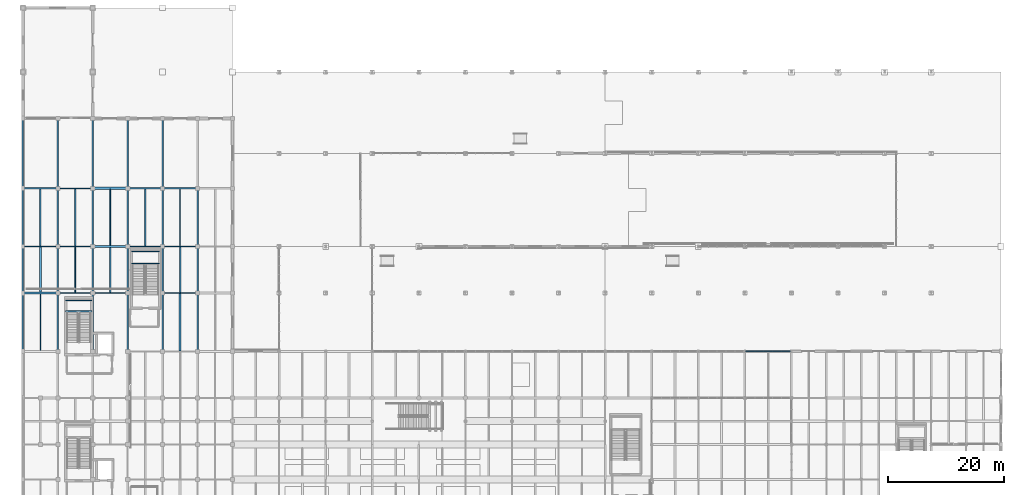
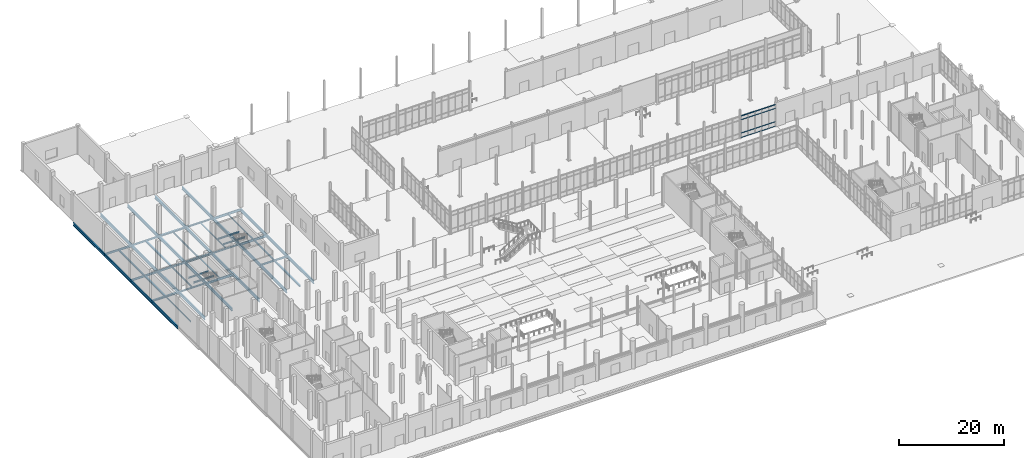
# One storey, part 54 of 140: 52 beams, 4 members, 1 element without a shape of its own.
"""IFC4 building model written with IfcOpenShell, lengths in metres."""

from ifc_helpers import new_model, si_unit, direction, frame, origin, origin_2d, place, context, subcontext, project, spatial, hollow_rectangle, i_section, extrude, material, material_profile, profile_set, type_object, element, aggregate, save


model = new_model("IFC4")

# Units and contexts
model_context = context("Model", 3, precision=1e-05, world=origin(), true_north=direction((0.0, 1.0)))
body_context = subcontext(model_context, "Body", "Model", "MODEL_VIEW")
ifc_project = project(units=[si_unit("LENGTHUNIT", "METRE"), si_unit("AREAUNIT", "SQUARE_METRE"), si_unit("VOLUMEUNIT", "CUBIC_METRE"), si_unit("PLANEANGLEUNIT", "RADIAN"), si_unit("MASSUNIT", "GRAM", prefix="KILO")], contexts=[model_context])

# Site, building, storey
site_placement = place(None, origin())
site = spatial("IfcSite", under=ifc_project, at=site_placement, CompositionType="ELEMENT")
building_placement = place(site_placement, origin())
building = spatial("IfcBuilding", under=site, at=building_placement, Name="Verrall Gate Interchange", CompositionType="ELEMENT")
storey_placement = place(building_placement, origin())
storey = spatial("IfcBuildingStorey", under=building, at=storey_placement, Name="L01", CompositionType="ELEMENT", Elevation=0.0)

# Beams
ifc_material_1 = material(Name="Structural Steel CSA G40.21 350WT Cat 4", Category="steel")
ifc_material_profile_1 = material_profile(ifc_material_1, i_section(OverallWidth=0.256103515625, OverallDepth=0.693115234375, WebThickness=0.01318359375, FlangeThickness=0.02001953125, FilletRadius=0.01611328125, at=origin_2d()), Name="W690x170")
ifc_profile_set_1 = profile_set([ifc_material_profile_1], Name="Structural Steel CSA G40.21 350WT Cat 4")
beam_type_1 = type_object("IfcBeamType", Name="B-07 Structural Beam W690x170", PredefinedType="BEAM", material=ifc_profile_set_1)
beam_1_placement = place(storey_placement, frame((0.0, 56.0, -0.846435546875), z_axis=(0.0, 1.0, 0.0), x_axis=(-1.0, 0.0, 0.0)))
element("IfcBeam", 1, at=beam_1_placement, inside=storey, type_object=beam_type_1, Name="L01 Girder BM-L01-0991 (B-07)", PredefinedType="BEAM", context=body_context, shape_type="SweptSolid", body=[
    extrude(i_section(OverallWidth=0.256103515625, OverallDepth=0.693115234375, WebThickness=0.01318359375, FlangeThickness=0.02001953125, FilletRadius=0.01611328125, at=origin_2d()), origin(), (0.0, 0.0, 1.0), 10.0),
])
beam_2_placement = place(storey_placement, frame((0.0, 66.0, -0.846435546875), z_axis=(0.0, 1.0, 0.0), x_axis=(-1.0, 0.0, 0.0)))
element("IfcBeam", 2, at=beam_2_placement, inside=storey, type_object=beam_type_1, Name="L01 Girder BM-L01-0992 (B-07)", PredefinedType="BEAM", context=body_context, shape_type="SweptSolid", body=[
    extrude(i_section(OverallWidth=0.256103515625, OverallDepth=0.693115234375, WebThickness=0.01318359375, FlangeThickness=0.02001953125, FilletRadius=0.01611328125, at=origin_2d()), origin(), (0.0, 0.0, 1.0), 8.0),
])
beam_3_placement = place(storey_placement, frame((0.0, 74.0, -0.846435546875), z_axis=(0.0, 1.0, 0.0), x_axis=(-1.0, 0.0, 0.0)))
element("IfcBeam", 3, at=beam_3_placement, inside=storey, type_object=beam_type_1, Name="L01 Girder BM-L01-0993 (B-07)", PredefinedType="BEAM", context=body_context, shape_type="SweptSolid", body=[
    extrude(i_section(OverallWidth=0.256103515625, OverallDepth=0.693115234375, WebThickness=0.01318359375, FlangeThickness=0.02001953125, FilletRadius=0.01611328125, at=origin_2d()), origin(), (0.0, 0.0, 1.0), 10.0),
])
beam_4_placement = place(storey_placement, frame((0.0, 84.0, -0.846435546875), z_axis=(0.0, 1.0, 0.0), x_axis=(-1.0, 0.0, 0.0)))
element("IfcBeam", 4, at=beam_4_placement, inside=storey, type_object=beam_type_1, Name="L01 Girder BM-L01-0994 (B-07)", PredefinedType="BEAM", context=body_context, shape_type="SweptSolid", body=[
    extrude(i_section(OverallWidth=0.256103515625, OverallDepth=0.693115234375, WebThickness=0.01318359375, FlangeThickness=0.02001953125, FilletRadius=0.01611328125, at=origin_2d()), origin(), (0.0, 0.0, 1.0), 12.0),
])
beam_5_placement = place(storey_placement, frame((6.0, 56.0, -0.846435546875), z_axis=(0.0, 1.0, 0.0), x_axis=(-1.0, 0.0, 0.0)))
element("IfcBeam", 5, at=beam_5_placement, inside=storey, type_object=beam_type_1, Name="L01 Girder BM-L01-1007 (B-07)", PredefinedType="BEAM", context=body_context, shape_type="SweptSolid", body=[
    extrude(i_section(OverallWidth=0.256103515625, OverallDepth=0.693115234375, WebThickness=0.01318359375, FlangeThickness=0.02001953125, FilletRadius=0.01611328125, at=origin_2d()), origin(), (0.0, 0.0, 1.0), 10.0),
])
beam_6_placement = place(storey_placement, frame((6.0, 66.0, -0.846435546875), z_axis=(0.0, 1.0, 0.0), x_axis=(-1.0, 0.0, 0.0)))
element("IfcBeam", 6, at=beam_6_placement, inside=storey, type_object=beam_type_1, Name="L01 Girder BM-L01-1008 (B-07)", PredefinedType="BEAM", context=body_context, shape_type="SweptSolid", body=[
    extrude(i_section(OverallWidth=0.256103515625, OverallDepth=0.693115234375, WebThickness=0.01318359375, FlangeThickness=0.02001953125, FilletRadius=0.01611328125, at=origin_2d()), origin(), (0.0, 0.0, 1.0), 8.0),
])
beam_7_placement = place(storey_placement, frame((6.0, 74.0, -0.846435546875), z_axis=(0.0, 1.0, 0.0), x_axis=(-1.0, 0.0, 0.0)))
element("IfcBeam", 7, at=beam_7_placement, inside=storey, type_object=beam_type_1, Name="L01 Girder BM-L01-1009 (B-07)", PredefinedType="BEAM", context=body_context, shape_type="SweptSolid", body=[
    extrude(i_section(OverallWidth=0.256103515625, OverallDepth=0.693115234375, WebThickness=0.01318359375, FlangeThickness=0.02001953125, FilletRadius=0.01611328125, at=origin_2d()), origin(), (0.0, 0.0, 1.0), 10.0),
])
beam_8_placement = place(storey_placement, frame((6.0, 84.0, -0.846435546875), z_axis=(0.0, 1.0, 0.0), x_axis=(-1.0, 0.0, 0.0)))
element("IfcBeam", 8, at=beam_8_placement, inside=storey, type_object=beam_type_1, Name="L01 Girder BM-L01-1010 (B-07)", PredefinedType="BEAM", context=body_context, shape_type="SweptSolid", body=[
    extrude(i_section(OverallWidth=0.256103515625, OverallDepth=0.693115234375, WebThickness=0.01318359375, FlangeThickness=0.02001953125, FilletRadius=0.01611328125, at=origin_2d()), origin(), (0.0, 0.0, 1.0), 12.0),
])
beam_9_placement = place(storey_placement, frame((12.0, 56.0, -0.846435546875), z_axis=(0.0, 1.0, 0.0), x_axis=(-1.0, 0.0, 0.0)))
element("IfcBeam", 9, at=beam_9_placement, inside=storey, type_object=beam_type_1, Name="L01 Girder BM-L01-1022 (B-07)", PredefinedType="BEAM", context=body_context, shape_type="SweptSolid", body=[
    extrude(i_section(OverallWidth=0.256103515625, OverallDepth=0.693115234375, WebThickness=0.01318359375, FlangeThickness=0.02001953125, FilletRadius=0.01611328125, at=origin_2d()), origin(), (0.0, 0.0, 1.0), 10.0),
])
beam_10_placement = place(storey_placement, frame((12.0, 66.0, -0.846435546875), z_axis=(0.0, 1.0, 0.0), x_axis=(-1.0, 0.0, 0.0)))
element("IfcBeam", 10, at=beam_10_placement, inside=storey, type_object=beam_type_1, Name="L01 Girder BM-L01-1023 (B-07)", PredefinedType="BEAM", context=body_context, shape_type="SweptSolid", body=[
    extrude(i_section(OverallWidth=0.256103515625, OverallDepth=0.693115234375, WebThickness=0.01318359375, FlangeThickness=0.02001953125, FilletRadius=0.01611328125, at=origin_2d()), origin(), (0.0, 0.0, 1.0), 8.0),
])
beam_11_placement = place(storey_placement, frame((12.0, 74.0, -0.846435546875), z_axis=(0.0, 1.0, 0.0), x_axis=(-1.0, 0.0, 0.0)))
element("IfcBeam", 11, at=beam_11_placement, inside=storey, type_object=beam_type_1, Name="L01 Girder BM-L01-1024 (B-07)", PredefinedType="BEAM", context=body_context, shape_type="SweptSolid", body=[
    extrude(i_section(OverallWidth=0.256103515625, OverallDepth=0.693115234375, WebThickness=0.01318359375, FlangeThickness=0.02001953125, FilletRadius=0.01611328125, at=origin_2d()), origin(), (0.0, 0.0, 1.0), 10.0),
])
beam_12_placement = place(storey_placement, frame((12.0, 84.0, -0.846435546875), z_axis=(0.0, 1.0, 0.0), x_axis=(-1.0, 0.0, 0.0)))
element("IfcBeam", 12, at=beam_12_placement, inside=storey, type_object=beam_type_1, Name="L01 Girder BM-L01-1025 (B-07)", PredefinedType="BEAM", context=body_context, shape_type="SweptSolid", body=[
    extrude(i_section(OverallWidth=0.256103515625, OverallDepth=0.693115234375, WebThickness=0.01318359375, FlangeThickness=0.02001953125, FilletRadius=0.01611328125, at=origin_2d()), origin(), (0.0, 0.0, 1.0), 12.0),
])
beam_13_placement = place(storey_placement, frame((18.0, 56.0, -0.846435546875), z_axis=(0.0, 1.0, 0.0), x_axis=(-1.0, 0.0, 0.0)))
element("IfcBeam", 13, at=beam_13_placement, inside=storey, type_object=beam_type_1, Name="L01 Girder BM-L01-1037 (B-07)", PredefinedType="BEAM", context=body_context, shape_type="SweptSolid", body=[
    extrude(i_section(OverallWidth=0.256103515625, OverallDepth=0.693115234375, WebThickness=0.01318359375, FlangeThickness=0.02001953125, FilletRadius=0.01611328125, at=origin_2d()), origin(), (0.0, 0.0, 1.0), 10.0),
])
beam_14_placement = place(storey_placement, frame((18.0, 66.0, -0.846435546875), z_axis=(0.0, 1.0, 0.0), x_axis=(-1.0, 0.0, 0.0)))
element("IfcBeam", 14, at=beam_14_placement, inside=storey, type_object=beam_type_1, Name="L01 Girder BM-L01-1038 (B-07)", PredefinedType="BEAM", context=body_context, shape_type="SweptSolid", body=[
    extrude(i_section(OverallWidth=0.256103515625, OverallDepth=0.693115234375, WebThickness=0.01318359375, FlangeThickness=0.02001953125, FilletRadius=0.01611328125, at=origin_2d()), origin(), (0.0, 0.0, 1.0), 8.0),
])
beam_15_placement = place(storey_placement, frame((18.0, 74.0, -0.846435546875), z_axis=(0.0, 1.0, 0.0), x_axis=(-1.0, 0.0, 0.0)))
element("IfcBeam", 15, at=beam_15_placement, inside=storey, type_object=beam_type_1, Name="L01 Girder BM-L01-1039 (B-07)", PredefinedType="BEAM", context=body_context, shape_type="SweptSolid", body=[
    extrude(i_section(OverallWidth=0.256103515625, OverallDepth=0.693115234375, WebThickness=0.01318359375, FlangeThickness=0.02001953125, FilletRadius=0.01611328125, at=origin_2d()), origin(), (0.0, 0.0, 1.0), 10.0),
])
beam_16_placement = place(storey_placement, frame((18.0, 84.0, -0.846435546875), z_axis=(0.0, 1.0, 0.0), x_axis=(-1.0, 0.0, 0.0)))
element("IfcBeam", 16, at=beam_16_placement, inside=storey, type_object=beam_type_1, Name="L01 Girder BM-L01-1040 (B-07)", PredefinedType="BEAM", context=body_context, shape_type="SweptSolid", body=[
    extrude(i_section(OverallWidth=0.256103515625, OverallDepth=0.693115234375, WebThickness=0.01318359375, FlangeThickness=0.02001953125, FilletRadius=0.01611328125, at=origin_2d()), origin(), (0.0, 0.0, 1.0), 12.0),
])
beam_17_placement = place(storey_placement, frame((24.0, 56.0, -0.846435546875), z_axis=(0.0, 1.0, 0.0), x_axis=(-1.0, 0.0, 0.0)))
element("IfcBeam", 17, at=beam_17_placement, inside=storey, type_object=beam_type_1, Name="L01 Girder BM-L01-1052 (B-07)", PredefinedType="BEAM", context=body_context, shape_type="SweptSolid", body=[
    extrude(i_section(OverallWidth=0.256103515625, OverallDepth=0.693115234375, WebThickness=0.01318359375, FlangeThickness=0.02001953125, FilletRadius=0.01611328125, at=origin_2d()), origin(), (0.0, 0.0, 1.0), 10.0),
])
beam_18_placement = place(storey_placement, frame((24.0, 66.0, -0.846435546875), z_axis=(0.0, 1.0, 0.0), x_axis=(-1.0, 0.0, 0.0)))
element("IfcBeam", 18, at=beam_18_placement, inside=storey, type_object=beam_type_1, Name="L01 Girder BM-L01-1053 (B-07)", PredefinedType="BEAM", context=body_context, shape_type="SweptSolid", body=[
    extrude(i_section(OverallWidth=0.256103515625, OverallDepth=0.693115234375, WebThickness=0.01318359375, FlangeThickness=0.02001953125, FilletRadius=0.01611328125, at=origin_2d()), origin(), (0.0, 0.0, 1.0), 8.0),
])
beam_19_placement = place(storey_placement, frame((24.0, 74.0, -0.846435546875), z_axis=(0.0, 1.0, 0.0), x_axis=(-1.0, 0.0, 0.0)))
element("IfcBeam", 19, at=beam_19_placement, inside=storey, type_object=beam_type_1, Name="L01 Girder BM-L01-1054 (B-07)", PredefinedType="BEAM", context=body_context, shape_type="SweptSolid", body=[
    extrude(i_section(OverallWidth=0.256103515625, OverallDepth=0.693115234375, WebThickness=0.01318359375, FlangeThickness=0.02001953125, FilletRadius=0.01611328125, at=origin_2d()), origin(), (0.0, 0.0, 1.0), 10.0),
])
beam_20_placement = place(storey_placement, frame((24.0, 84.0, -0.846435546875), z_axis=(0.0, 1.0, 0.0), x_axis=(-1.0, 0.0, 0.0)))
element("IfcBeam", 20, at=beam_20_placement, inside=storey, type_object=beam_type_1, Name="L01 Girder BM-L01-1055 (B-07)", PredefinedType="BEAM", context=body_context, shape_type="SweptSolid", body=[
    extrude(i_section(OverallWidth=0.256103515625, OverallDepth=0.693115234375, WebThickness=0.01318359375, FlangeThickness=0.02001953125, FilletRadius=0.01611328125, at=origin_2d()), origin(), (0.0, 0.0, 1.0), 12.0),
])
beam_21_placement = place(storey_placement, frame((30.0, 56.0, -0.846435546875), z_axis=(0.0, 1.0, 0.0), x_axis=(-1.0, 0.0, 0.0)))
element("IfcBeam", 21, at=beam_21_placement, inside=storey, type_object=beam_type_1, Name="L01 Girder BM-L01-1067 (B-07)", PredefinedType="BEAM", context=body_context, shape_type="SweptSolid", body=[
    extrude(i_section(OverallWidth=0.256103515625, OverallDepth=0.693115234375, WebThickness=0.01318359375, FlangeThickness=0.02001953125, FilletRadius=0.01611328125, at=origin_2d()), origin(), (0.0, 0.0, 1.0), 10.0),
])
beam_22_placement = place(storey_placement, frame((30.0, 66.0, -0.846435546875), z_axis=(0.0, 1.0, 0.0), x_axis=(-1.0, 0.0, 0.0)))
element("IfcBeam", 22, at=beam_22_placement, inside=storey, type_object=beam_type_1, Name="L01 Girder BM-L01-1068 (B-07)", PredefinedType="BEAM", context=body_context, shape_type="SweptSolid", body=[
    extrude(i_section(OverallWidth=0.256103515625, OverallDepth=0.693115234375, WebThickness=0.01318359375, FlangeThickness=0.02001953125, FilletRadius=0.01611328125, at=origin_2d()), origin(), (0.0, 0.0, 1.0), 8.0),
])
beam_23_placement = place(storey_placement, frame((30.0, 74.0, -0.846435546875), z_axis=(0.0, 1.0, 0.0), x_axis=(-1.0, 0.0, 0.0)))
element("IfcBeam", 23, at=beam_23_placement, inside=storey, type_object=beam_type_1, Name="L01 Girder BM-L01-1069 (B-07)", PredefinedType="BEAM", context=body_context, shape_type="SweptSolid", body=[
    extrude(i_section(OverallWidth=0.256103515625, OverallDepth=0.693115234375, WebThickness=0.01318359375, FlangeThickness=0.02001953125, FilletRadius=0.01611328125, at=origin_2d()), origin(), (0.0, 0.0, 1.0), 10.0),
])
ifc_material_2 = material(Name="Structural Steel CSA G40.21 350W", Category="steel")
ifc_material_profile_2 = material_profile(ifc_material_2, i_section(OverallWidth=0.2109375, OverallDepth=0.5390625, WebThickness=0.01171875, FlangeThickness=0.018798828125, FilletRadius=0.013916015625, at=origin_2d()), Name="W530x109")
ifc_profile_set_2 = profile_set([ifc_material_profile_2], Name="Structural Steel CSA G40.21 350W")
beam_type_2 = type_object("IfcBeamType", Name="B-10 Structural Beam W530x109", PredefinedType="BEAM", material=ifc_profile_set_2)
for number, where, z_axis, x_axis, name in (
    (24, (12.0, 66.0, -0.76953125), (1.0, 0.0, 0.0), (0.0, 1.0, 0.0), "L01 Girder BM-L01-0959 (B-10)"),
    (25, (24.0, 74.0, -0.76953125), (1.0, 0.0, 0.0), (0.0, 1.0, 0.0), "L01 Girder BM-L01-0966 (B-10)"),
    (26, (24.0, 84.0, -0.76953125), (1.0, 0.0, 0.0), (0.0, 1.0, 0.0), "L01 Girder BM-L01-0972 (B-10)"),
):
    element("IfcBeam", number, at=place(storey_placement, frame(where, z_axis=z_axis, x_axis=x_axis)), inside=storey, type_object=beam_type_2, Name=name, PredefinedType="BEAM", context=body_context, shape_type="SweptSolid", body=[
        extrude(i_section(OverallWidth=0.2109375, OverallDepth=0.5390625, WebThickness=0.01171875, FlangeThickness=0.018798828125, FilletRadius=0.013916015625, at=origin_2d()), origin(), (0.0, 0.0, 1.0), 6.0),
    ])
ifc_material_3 = material(Name="Structural Steel CSA G40.21 350W", Category="steel")
ifc_material_profile_3 = material_profile(ifc_material_3, i_section(OverallWidth=0.19189453125, OverallDepth=0.462890625, WebThickness=0.010498046875, FlangeThickness=0.017578125, FilletRadius=0.012939453125, at=origin_2d()), Name="W460x89")
ifc_profile_set_3 = profile_set([ifc_material_profile_3], Name="Structural Steel CSA G40.21 350W")
beam_type_3 = type_object("IfcBeamType", Name="B-11 Structural Beam W460x89", PredefinedType="BEAM", material=ifc_profile_set_3)
for number, where, z_axis, x_axis, name in (
    (27, (0.0, 74.0, -0.7314453125), (1.0, 0.0, 0.0), (0.0, 1.0, 0.0), "L01 Girder BM-L01-0962 (B-11)"),
    (28, (0.0, 84.0, -0.7314453125), (1.0, 0.0, 0.0), (0.0, 1.0, 0.0), "L01 Girder BM-L01-0968 (B-11)"),
):
    element("IfcBeam", number, at=place(storey_placement, frame(where, z_axis=z_axis, x_axis=x_axis)), inside=storey, type_object=beam_type_3, Name=name, PredefinedType="BEAM", context=body_context, shape_type="SweptSolid", body=[
        extrude(i_section(OverallWidth=0.19189453125, OverallDepth=0.462890625, WebThickness=0.010498046875, FlangeThickness=0.017578125, FilletRadius=0.012939453125, at=origin_2d()), origin(), (0.0, 0.0, 1.0), 6.0),
    ])
ifc_material_4 = material(Name="Structural Steel CSA G40.21 350W", Category="steel")
ifc_material_profile_4 = material_profile(ifc_material_4, i_section(OverallWidth=0.178955078125, OverallDepth=0.409912109375, WebThickness=0.0087890625, FlangeThickness=0.014404296875, FilletRadius=0.011962890625, at=origin_2d()), Name="W410x67")
ifc_profile_set_4 = profile_set([ifc_material_profile_4], Name="Structural Steel CSA G40.21 350W")
beam_type_4 = type_object("IfcBeamType", Name="B-12 Structural Beam W410x67", PredefinedType="BEAM", material=ifc_profile_set_4)
for number, where, z_axis, x_axis, name in (
    (29, (24.0, 66.0, -0.705078125), (1.0, 0.0, 0.0), (0.0, 1.0, 0.0), "L01 Girder BM-L01-0960 (B-12)"),
    (30, (6.0, 74.0, -0.705078125), (1.0, 0.0, 0.0), (0.0, 1.0, 0.0), "L01 Girder BM-L01-0963 (B-12)"),
    (31, (6.0, 84.0, -0.705078125), (1.0, 0.0, 0.0), (0.0, 1.0, 0.0), "L01 Girder BM-L01-0969 (B-12)"),
):
    element("IfcBeam", number, at=place(storey_placement, frame(where, z_axis=z_axis, x_axis=x_axis)), inside=storey, type_object=beam_type_4, Name=name, PredefinedType="BEAM", context=body_context, shape_type="SweptSolid", body=[
        extrude(i_section(OverallWidth=0.178955078125, OverallDepth=0.409912109375, WebThickness=0.0087890625, FlangeThickness=0.014404296875, FilletRadius=0.011962890625, at=origin_2d()), origin(), (0.0, 0.0, 1.0), 6.0),
    ])
ifc_material_5 = material(Name="Structural Steel CSA G40.21 350W", Category="steel")
ifc_material_profile_5 = material_profile(ifc_material_5, i_section(OverallWidth=0.368896484375, OverallDepth=0.35595703125, WebThickness=0.01123046875, FlangeThickness=0.01806640625, FilletRadius=0.014892578125, at=origin_2d()), Name="W360x134")
ifc_profile_set_5 = profile_set([ifc_material_profile_5], Name="Structural Steel CSA G40.21 350W")
beam_type_5 = type_object("IfcBeamType", Name="B-13 Structural Beam W360x134", PredefinedType="BEAM", material=ifc_profile_set_5)
for number, where, z_axis, x_axis, name in (
    (32, (0.0, 66.0, -0.677978515625), (1.0, 0.0, 0.0), (0.0, 1.0, 0.0), "L01 Girder BM-L01-0957 (B-13)"),
    (33, (12.0, 74.0, -0.677978515625), (1.0, 0.0, 0.0), (0.0, 1.0, 0.0), "L01 Girder BM-L01-0964 (B-13)"),
    (34, (12.0, 84.0, -0.677978515625), (1.0, 0.0, 0.0), (0.0, 1.0, 0.0), "L01 Girder BM-L01-0970 (B-13)"),
):
    element("IfcBeam", number, at=place(storey_placement, frame(where, z_axis=z_axis, x_axis=x_axis)), inside=storey, type_object=beam_type_5, Name=name, PredefinedType="BEAM", context=body_context, shape_type="SweptSolid", body=[
        extrude(i_section(OverallWidth=0.368896484375, OverallDepth=0.35595703125, WebThickness=0.01123046875, FlangeThickness=0.01806640625, FilletRadius=0.014892578125, at=origin_2d()), origin(), (0.0, 0.0, 1.0), 6.0),
    ])
ifc_material_6 = material(Name="Structural Steel CSA G40.21 350W", Category="steel")
ifc_material_profile_6 = material_profile(ifc_material_6, i_section(OverallWidth=0.205078125, OverallDepth=0.35400390625, WebThickness=0.009521484375, FlangeThickness=0.016845703125, FilletRadius=0.012939453125, at=origin_2d()), Name="W360x79")
ifc_profile_set_6 = profile_set([ifc_material_profile_6], Name="Structural Steel CSA G40.21 350W")
beam_type_6 = type_object("IfcBeamType", Name="B-14 Structural Beam W360x79", PredefinedType="BEAM", material=ifc_profile_set_6)
for number, where, z_axis, x_axis, name in (
    (35, (6.0, 66.0, -0.677001953125), (1.0, 0.0, 0.0), (0.0, 1.0, 0.0), "L01 Girder BM-L01-0958 (B-14)"),
    (36, (18.0, 74.0, -0.677001953125), (1.0, 0.0, 0.0), (0.0, 1.0, 0.0), "L01 Girder BM-L01-0965 (B-14)"),
    (37, (18.0, 84.0, -0.677001953125), (1.0, 0.0, 0.0), (0.0, 1.0, 0.0), "L01 Girder BM-L01-0971 (B-14)"),
):
    element("IfcBeam", number, at=place(storey_placement, frame(where, z_axis=z_axis, x_axis=x_axis)), inside=storey, type_object=beam_type_6, Name=name, PredefinedType="BEAM", context=body_context, shape_type="SweptSolid", body=[
        extrude(i_section(OverallWidth=0.205078125, OverallDepth=0.35400390625, WebThickness=0.009521484375, FlangeThickness=0.016845703125, FilletRadius=0.012939453125, at=origin_2d()), origin(), (0.0, 0.0, 1.0), 6.0),
    ])
for number, where, z_axis, x_axis, name in (
    (38, (7.35009765625, 62.8701171875, 2.929931640625), (1.0, 0.0, 0.0), (0.0, 1.0, 0.0), "L01 Core C3 Mid-Landing Beam 1"),
    (39, (7.35009765625, 64.719970703125, 2.929931640625), (1.0, 0.0, 0.0), (0.0, 1.0, 0.0), "L01 Core C3 Mid-Landing Beam 2"),
):
    element("IfcBeam", number, at=place(storey_placement, frame(where, z_axis=z_axis, x_axis=x_axis)), inside=storey, type_object=beam_type_6, Name=name, PredefinedType="BEAM", context=body_context, shape_type="SweptSolid", body=[
        extrude(i_section(OverallWidth=0.205078125, OverallDepth=0.35400390625, WebThickness=0.009521484375, FlangeThickness=0.016845703125, FilletRadius=0.012939453125, at=origin_2d()), origin(), (0.0, 0.0, 1.0), 4.5),
    ])
for number, where, z_axis, x_axis, name in (
    (40, (18.6298828125, 71.070068359375, 2.929931640625), (1.0, 0.0, 0.0), (0.0, 1.0, 0.0), "L01 Core C4 Mid-Landing Beam 1"),
    (41, (18.6298828125, 73.1201171875, 2.929931640625), (1.0, 0.0, 0.0), (0.0, 1.0, 0.0), "L01 Core C4 Mid-Landing Beam 2"),
):
    element("IfcBeam", number, at=place(storey_placement, frame(where, z_axis=z_axis, x_axis=x_axis)), inside=storey, type_object=beam_type_6, Name=name, PredefinedType="BEAM", context=body_context, shape_type="SweptSolid", body=[
        extrude(i_section(OverallWidth=0.205078125, OverallDepth=0.35400390625, WebThickness=0.009521484375, FlangeThickness=0.016845703125, FilletRadius=0.012939453125, at=origin_2d()), origin(), (0.0, 0.0, 1.0), 4.840087890625),
    ])

# Curtain wall, members
ifc_material_7 = material(Name="Thermally Broken Anodized Aluminium Curtain Wall Framing", Category="aluminium")
curtain_wall_type = type_object("IfcCurtainWallType", Name="CW-06 Unitized Curtain Wall 7631x5100", PredefinedType="NOTDEFINED", material=ifc_material_7)
curtain_wall_placement = place(storey_placement, origin())
curtain_wall = element("IfcCurtainWall", 42, at=curtain_wall_placement, inside=storey, type_object=curtain_wall_type, Name="L01 Unitized Curtain Wall CW-L01-012", PredefinedType="NOTDEFINED")
ifc_material_8 = material(Name="Thermally Broken Anodized Aluminium Curtain Wall Framing", Category="aluminium")
ifc_material_profile_7 = material_profile(ifc_material_8, hollow_rectangle(XDim=0.1201171875, YDim=0.06494140625, WallThickness=0.00390625, InnerFilletRadius=0.00390625, OuterFilletRadius=0.008056640625, at=origin_2d()), Name="CWT120x65x4")
ifc_profile_set_7 = profile_set([ifc_material_profile_7], Name="Thermally Broken Anodized Aluminium Curtain Wall Framing")
member_type = type_object("IfcMemberType", Name="CT-01 Curtain Transom CWT120x65x4", PredefinedType="USERDEFINED", material=ifc_profile_set_7)
member_1_placement = place(storey_placement, frame((131.783447265625, 56.0, 0.032470703125), z_axis=(-1.0, 0.0, 0.0), x_axis=(0.0, -1.0, 0.0)))
member_1 = element("IfcMember", 43, at=member_1_placement, type_object=member_type, Name="CW-L01-012 Transom 1", ObjectType="TRANSOM", PredefinedType="USERDEFINED", context=body_context, shape_type="SweptSolid", body=[
    extrude(hollow_rectangle(XDim=0.1201171875, YDim=0.06494140625, WallThickness=0.00390625, InnerFilletRadius=0.00390625, OuterFilletRadius=0.008056640625, at=origin_2d()), origin(), (0.0, 0.0, 1.0), 7.598876953125),
])
member_2_placement = place(storey_placement, frame((131.783447265625, 56.0, 1.10009765625), z_axis=(-1.0, 0.0, 0.0), x_axis=(0.0, -1.0, 0.0)))
member_2 = element("IfcMember", 44, at=member_2_placement, type_object=member_type, Name="CW-L01-012 Transom 2", ObjectType="TRANSOM", PredefinedType="USERDEFINED", context=body_context, shape_type="SweptSolid", body=[
    extrude(hollow_rectangle(XDim=0.1201171875, YDim=0.06494140625, WallThickness=0.00390625, InnerFilletRadius=0.00390625, OuterFilletRadius=0.008056640625, at=origin_2d()), origin(), (0.0, 0.0, 1.0), 7.598876953125),
])
member_3_placement = place(storey_placement, frame((131.783447265625, 56.0, 4.199951171875), z_axis=(-1.0, 0.0, 0.0), x_axis=(0.0, -1.0, 0.0)))
member_3 = element("IfcMember", 45, at=member_3_placement, type_object=member_type, Name="CW-L01-012 Transom 3", ObjectType="TRANSOM", PredefinedType="USERDEFINED", context=body_context, shape_type="SweptSolid", body=[
    extrude(hollow_rectangle(XDim=0.1201171875, YDim=0.06494140625, WallThickness=0.00390625, InnerFilletRadius=0.00390625, OuterFilletRadius=0.008056640625, at=origin_2d()), origin(), (0.0, 0.0, 1.0), 7.598876953125),
])
member_4_placement = place(storey_placement, frame((131.783447265625, 56.0, 5.0673828125), z_axis=(-1.0, 0.0, 0.0), x_axis=(0.0, -1.0, 0.0)))
member_4 = element("IfcMember", 46, at=member_4_placement, type_object=member_type, Name="CW-L01-012 Transom 4", ObjectType="TRANSOM", PredefinedType="USERDEFINED", context=body_context, shape_type="SweptSolid", body=[
    extrude(hollow_rectangle(XDim=0.1201171875, YDim=0.06494140625, WallThickness=0.00390625, InnerFilletRadius=0.00390625, OuterFilletRadius=0.008056640625, at=origin_2d()), origin(), (0.0, 0.0, 1.0), 7.598876953125),
])
aggregate(curtain_wall, [member_1, member_2, member_3, member_4])

# Beams
ifc_material_9 = material(Name="Structural Steel CSA G40.21 350W", Category="steel")
ifc_material_profile_8 = material_profile(ifc_material_9, i_section(OverallWidth=0.172119140625, OverallDepth=0.35791015625, WebThickness=0.0078125, FlangeThickness=0.01318359375, FilletRadius=0.010986328125, at=origin_2d()), Name="W360x57")
ifc_profile_set_8 = profile_set([ifc_material_profile_8], Name="Structural Steel CSA G40.21 350W")
beam_type_7 = type_object("IfcBeamType", Name="J-01 Floor Joist W360x57", PredefinedType="JOIST", material=ifc_profile_set_8)
beam_24_placement = place(storey_placement, frame((9.0, 66.1025390625, -0.678955078125), z_axis=(0.0, 1.0, 0.0), x_axis=(-1.0, 0.0, 0.0)))
element("IfcBeam", 47, at=beam_24_placement, inside=storey, type_object=beam_type_7, Name="L01 Secondary Floor Joist JST-L01-1425", PredefinedType="JOIST", context=body_context, shape_type="SweptSolid", body=[
    extrude(i_section(OverallWidth=0.172119140625, OverallDepth=0.35791015625, WebThickness=0.0078125, FlangeThickness=0.01318359375, FilletRadius=0.010986328125, at=origin_2d()), origin(), (0.0, 0.0, 1.0), 7.807861328125),
])
beam_25_placement = place(storey_placement, frame((15.0, 74.1845703125, -0.678955078125), z_axis=(0.0, 1.0, 0.0), x_axis=(-1.0, 0.0, 0.0)))
element("IfcBeam", 48, at=beam_25_placement, inside=storey, type_object=beam_type_7, Name="L01 Secondary Floor Joist JST-L01-1431", PredefinedType="JOIST", context=body_context, shape_type="SweptSolid", body=[
    extrude(i_section(OverallWidth=0.172119140625, OverallDepth=0.35791015625, WebThickness=0.0078125, FlangeThickness=0.01318359375, FilletRadius=0.010986328125, at=origin_2d()), origin(), (0.0, 0.0, 1.0), 9.630859375),
])
ifc_material_10 = material(Name="Structural Steel CSA G40.21 350W", Category="steel")
ifc_material_profile_9 = material_profile(ifc_material_10, i_section(OverallWidth=0.306884765625, OverallDepth=0.31396484375, WebThickness=0.011962890625, FlangeThickness=0.018798828125, FilletRadius=0.013916015625, at=origin_2d()), Name="W310x118")
ifc_profile_set_9 = profile_set([ifc_material_profile_9], Name="Structural Steel CSA G40.21 350W")
beam_type_8 = type_object("IfcBeamType", Name="J-02 Floor Joist W310x118", PredefinedType="JOIST", material=ifc_profile_set_9)
beam_26_placement = place(storey_placement, frame((27.0, 56.089599609375, -0.656982421875), z_axis=(0.0, 1.0, 0.0), x_axis=(-1.0, 0.0, 0.0)))
element("IfcBeam", 49, at=beam_26_placement, inside=storey, type_object=beam_type_8, Name="L01 Secondary Floor Joist JST-L01-1422", PredefinedType="JOIST", context=body_context, shape_type="SweptSolid", body=[
    extrude(i_section(OverallWidth=0.306884765625, OverallDepth=0.31396484375, WebThickness=0.011962890625, FlangeThickness=0.018798828125, FilletRadius=0.013916015625, at=origin_2d()), origin(), (0.0, 0.0, 1.0), 9.82080078125),
])
beam_27_placement = place(storey_placement, frame((3.0, 66.1845703125, -0.656982421875), z_axis=(0.0, 1.0, 0.0), x_axis=(-1.0, 0.0, 0.0)))
element("IfcBeam", 50, at=beam_27_placement, inside=storey, type_object=beam_type_8, Name="L01 Secondary Floor Joist JST-L01-1424", PredefinedType="JOIST", context=body_context, shape_type="SweptSolid", body=[
    extrude(i_section(OverallWidth=0.306884765625, OverallDepth=0.31396484375, WebThickness=0.011962890625, FlangeThickness=0.018798828125, FilletRadius=0.013916015625, at=origin_2d()), origin(), (0.0, 0.0, 1.0), 7.719482421875),
])
beam_28_placement = place(storey_placement, frame((9.0, 74.089599609375, -0.656982421875), z_axis=(0.0, 1.0, 0.0), x_axis=(-1.0, 0.0, 0.0)))
element("IfcBeam", 51, at=beam_28_placement, inside=storey, type_object=beam_type_8, Name="L01 Secondary Floor Joist JST-L01-1430", PredefinedType="JOIST", context=body_context, shape_type="SweptSolid", body=[
    extrude(i_section(OverallWidth=0.306884765625, OverallDepth=0.31396484375, WebThickness=0.011962890625, FlangeThickness=0.018798828125, FilletRadius=0.013916015625, at=origin_2d()), origin(), (0.0, 0.0, 1.0), 9.82080078125),
])
ifc_material_11 = material(Name="Structural Steel CSA G40.21 350W", Category="steel")
ifc_material_profile_10 = material_profile(ifc_material_11, i_section(OverallWidth=0.25390625, OverallDepth=0.305908203125, WebThickness=0.0087890625, FlangeThickness=0.0146484375, FilletRadius=0.012939453125, at=origin_2d()), Name="W310x79")
ifc_profile_set_10 = profile_set([ifc_material_profile_10], Name="Structural Steel CSA G40.21 350W")
beam_type_9 = type_object("IfcBeamType", Name="J-03 Floor Joist W310x79", PredefinedType="JOIST", material=ifc_profile_set_10)
beam_29_placement = place(storey_placement, frame((3.0, 74.095947265625, -0.653076171875), z_axis=(0.0, 1.0, 0.0), x_axis=(-1.0, 0.0, 0.0)))
element("IfcBeam", 52, at=beam_29_placement, inside=storey, type_object=beam_type_9, Name="L01 Secondary Floor Joist JST-L01-1429", PredefinedType="JOIST", context=body_context, shape_type="SweptSolid", body=[
    extrude(i_section(OverallWidth=0.25390625, OverallDepth=0.305908203125, WebThickness=0.0087890625, FlangeThickness=0.0146484375, FilletRadius=0.012939453125, at=origin_2d()), origin(), (0.0, 0.0, 1.0), 9.80810546875),
])
ifc_material_12 = material(Name="Structural Steel CSA G40.21 350W", Category="steel")
ifc_material_profile_11 = material_profile(ifc_material_12, i_section(OverallWidth=0.25390625, OverallDepth=0.2529296875, WebThickness=0.008544921875, FlangeThickness=0.01416015625, FilletRadius=0.011962890625, at=origin_2d()), Name="W250x73")
ifc_profile_set_11 = profile_set([ifc_material_profile_11], Name="Structural Steel CSA G40.21 350W")
beam_type_10 = type_object("IfcBeamType", Name="J-05 Floor Joist W250x73", PredefinedType="JOIST", material=ifc_profile_set_11)
beam_30_placement = place(storey_placement, frame((27.0, 66.089599609375, -0.62646484375), z_axis=(0.0, 1.0, 0.0), x_axis=(-1.0, 0.0, 0.0)))
element("IfcBeam", 53, at=beam_30_placement, inside=storey, type_object=beam_type_10, Name="L01 Secondary Floor Joist JST-L01-1427", PredefinedType="JOIST", context=body_context, shape_type="SweptSolid", body=[
    extrude(i_section(OverallWidth=0.25390625, OverallDepth=0.2529296875, WebThickness=0.008544921875, FlangeThickness=0.01416015625, FilletRadius=0.011962890625, at=origin_2d()), origin(), (0.0, 0.0, 1.0), 7.804931640625),
])
ifc_material_13 = material(Name="Structural Steel CSA G40.21 350W", Category="steel")
ifc_material_profile_12 = material_profile(ifc_material_13, i_section(OverallWidth=0.201904296875, OverallDepth=0.2470703125, WebThickness=0.00732421875, FlangeThickness=0.010986328125, FilletRadius=0.010986328125, at=origin_2d()), Name="W250x49")
ifc_profile_set_12 = profile_set([ifc_material_profile_12], Name="Structural Steel CSA G40.21 350W")
beam_type_11 = type_object("IfcBeamType", Name="J-06 Floor Joist W250x49", PredefinedType="JOIST", material=ifc_profile_set_12)
beam_31_placement = place(storey_placement, frame((3.0, 56.1845703125, -0.62353515625), z_axis=(0.0, 1.0, 0.0), x_axis=(-1.0, 0.0, 0.0)))
element("IfcBeam", 54, at=beam_31_placement, inside=storey, type_object=beam_type_11, Name="L01 Secondary Floor Joist JST-L01-1421", PredefinedType="JOIST", context=body_context, shape_type="SweptSolid", body=[
    extrude(i_section(OverallWidth=0.201904296875, OverallDepth=0.2470703125, WebThickness=0.00732421875, FlangeThickness=0.010986328125, FilletRadius=0.010986328125, at=origin_2d()), origin(), (0.0, 0.0, 1.0), 9.630859375),
])
beam_32_placement = place(storey_placement, frame((27.0, 74.10546875, -0.62353515625), z_axis=(0.0, 1.0, 0.0), x_axis=(-1.0, 0.0, 0.0)))
element("IfcBeam", 55, at=beam_32_placement, inside=storey, type_object=beam_type_11, Name="L01 Secondary Floor Joist JST-L01-1433", PredefinedType="JOIST", context=body_context, shape_type="SweptSolid", body=[
    extrude(i_section(OverallWidth=0.201904296875, OverallDepth=0.2470703125, WebThickness=0.00732421875, FlangeThickness=0.010986328125, FilletRadius=0.010986328125, at=origin_2d()), origin(), (0.0, 0.0, 1.0), 9.7890625),
])
ifc_material_14 = material(Name="Structural Steel CSA G40.21 350W", Category="steel")
ifc_material_profile_13 = material_profile(ifc_material_14, i_section(OverallWidth=0.202880859375, OverallDepth=0.202880859375, WebThickness=0.007080078125, FlangeThickness=0.010986328125, FilletRadius=0.010009765625, at=origin_2d()), Name="W200x46")
ifc_profile_set_13 = profile_set([ifc_material_profile_13], Name="Structural Steel CSA G40.21 350W")
beam_type_12 = type_object("IfcBeamType", Name="J-07 Floor Joist W200x46", PredefinedType="JOIST", material=ifc_profile_set_13)
beam_33_placement = place(storey_placement, frame((15.0, 66.10546875, -0.6015625), z_axis=(0.0, 1.0, 0.0), x_axis=(-1.0, 0.0, 0.0)))
element("IfcBeam", 56, at=beam_33_placement, inside=storey, type_object=beam_type_12, Name="L01 Secondary Floor Joist JST-L01-1426", PredefinedType="JOIST", context=body_context, shape_type="SweptSolid", body=[
    extrude(i_section(OverallWidth=0.202880859375, OverallDepth=0.202880859375, WebThickness=0.007080078125, FlangeThickness=0.010986328125, FilletRadius=0.010009765625, at=origin_2d()), origin(), (0.0, 0.0, 1.0), 7.7099609375),
])
beam_34_placement = place(storey_placement, frame((21.0, 74.1025390625, -0.6015625), z_axis=(0.0, 1.0, 0.0), x_axis=(-1.0, 0.0, 0.0)))
element("IfcBeam", 57, at=beam_34_placement, inside=storey, type_object=beam_type_12, Name="L01 Secondary Floor Joist JST-L01-1432", PredefinedType="JOIST", context=body_context, shape_type="SweptSolid", body=[
    extrude(i_section(OverallWidth=0.202880859375, OverallDepth=0.202880859375, WebThickness=0.007080078125, FlangeThickness=0.010986328125, FilletRadius=0.010009765625, at=origin_2d()), origin(), (0.0, 0.0, 1.0), 9.794921875),
])

save(model, "model.ifc")
